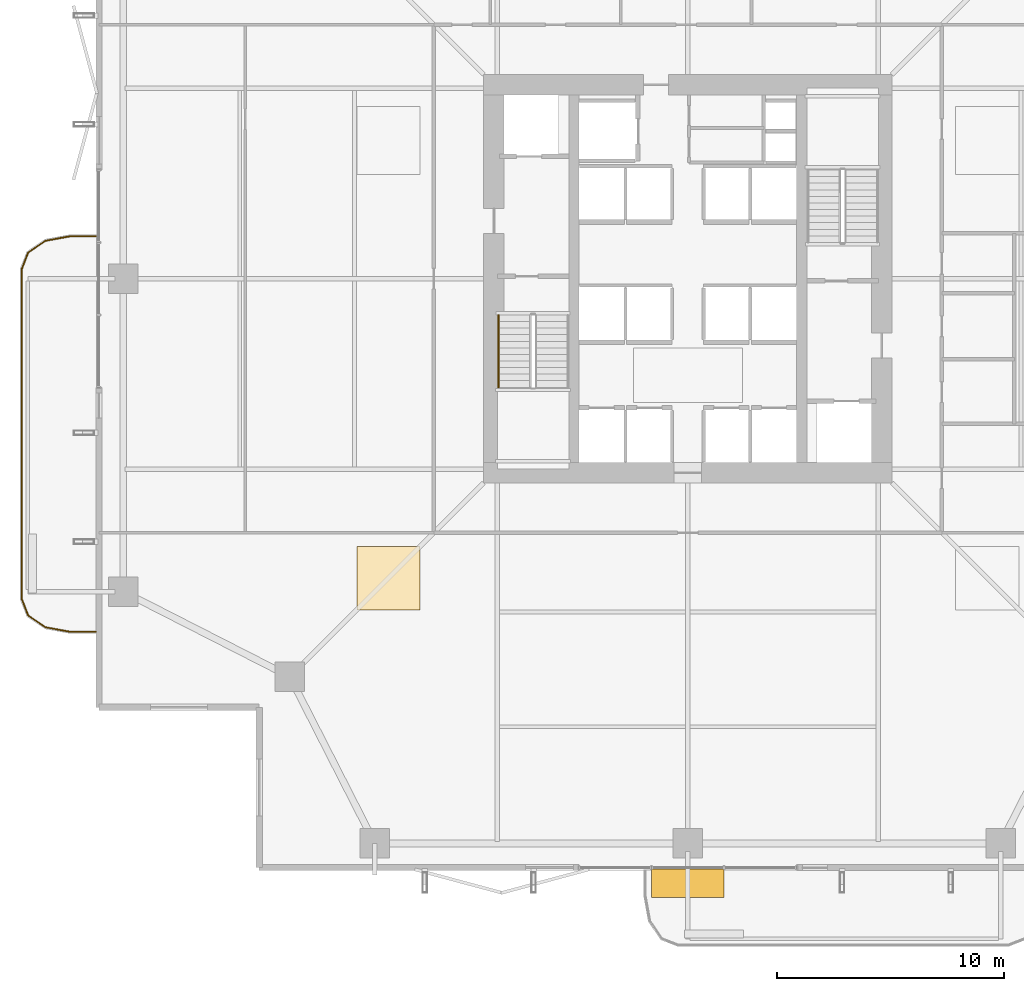
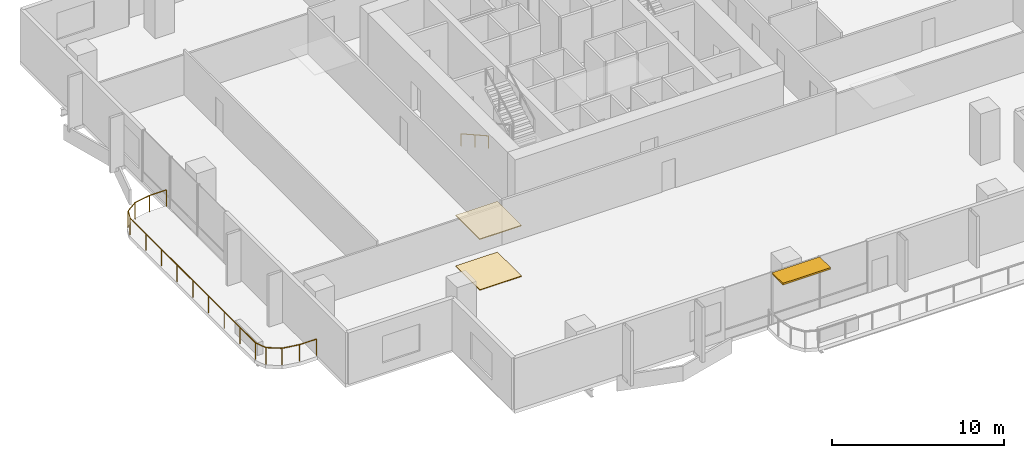
# One storey, part 21 of 24: 2 coverings, 2 railings, 1 shading device.
"""IFC4 building model written with IfcOpenShell, lengths in metres."""

from ifc_helpers import new_model, si_unit, direction, frame, origin, origin_2d, place, context, subcontext, project, spatial, polyline, rectangle, outline, extrude, material, layer, layer_set, type_object, element, save


model = new_model("IFC4")

# Units and contexts
model_context = context("Model", 3, precision=1e-05, world=origin(), true_north=direction((0.0, 1.0)))
body_context = subcontext(model_context, "Body", "Model", "MODEL_VIEW")
ifc_project = project(units=[si_unit("LENGTHUNIT", "METRE"), si_unit("AREAUNIT", "SQUARE_METRE"), si_unit("VOLUMEUNIT", "CUBIC_METRE"), si_unit("PLANEANGLEUNIT", "RADIAN"), si_unit("MASSUNIT", "GRAM", prefix="KILO")], contexts=[model_context])

# Site, building, storey
site_placement = place(None, origin())
site = spatial("IfcSite", under=ifc_project, at=site_placement, CompositionType="ELEMENT")
building_placement = place(site_placement, origin())
building = spatial("IfcBuilding", under=site, at=building_placement, Name="Belovzor Exchange Tower", CompositionType="ELEMENT")
storey_placement = place(building_placement, frame((0.0, 0.0, 129.0)))
storey = spatial("IfcBuildingStorey", under=building, at=storey_placement, Name="L31", CompositionType="ELEMENT", Elevation=129.0)

# Railings
ifc_material_1 = material(Name="Stainless Steel Grade 304", Category="steel")
railing_type_1 = type_object("IfcRailingType", Name="Brushed Stainless Steel Stair Handrail 900", PredefinedType="HANDRAIL", material=ifc_material_1)
railing_1_placement = place(storey_placement, frame((20.449951171875, 27.199951171875, 0.16259765625)))
element("IfcRailing", 1, at=railing_1_placement, inside=storey, type_object=railing_type_1, Name="L31 ST-1 stair handrail 1", PredefinedType="HANDRAIL", context=body_context, shape_type="SweptSolid", body=[
    extrude(rectangle(XDim=0.048095703125, YDim=0.048095703125, at=origin_2d()), frame((0.0, 0.0, 0.8759765625), z_axis=(0.0, -0.872390997893, 0.488808701636), x_axis=(1.0, 0.0, 0.0)), (0.0, 0.0, 1.0), 3.656494140625),
    extrude(rectangle(XDim=0.0419921875, YDim=0.0419921875, at=origin_2d()), origin(), (0.0, 0.0, 1.0), 0.851806640625),
    extrude(rectangle(XDim=0.0419921875, YDim=0.0419921875, at=origin_2d()), frame((0.0, -1.594970703125, 0.8935546875)), (0.0, 0.0, 1.0), 0.851806640625),
    extrude(rectangle(XDim=0.0419921875, YDim=0.0419921875, at=origin_2d()), frame((0.0, -3.18994140625, 1.787353515625)), (0.0, 0.0, 1.0), 0.851806640625),
])
ifc_material_2 = material(Name="Stainless Steel and Laminated Safety Glass", Category="steel")
railing_type_2 = type_object("IfcRailingType", Name="Laminated Glass & Stainless Steel Balcony Balustrade 1200", PredefinedType="BALUSTRADE", material=ifc_material_2)
railing_2_placement = place(storey_placement, frame((2.68994140625, 30.669921875, 0.0)))
element("IfcRailing", 2, at=railing_2_placement, inside=storey, type_object=railing_type_2, Name="GR-1 Balcony Balustrade L31 West", PredefinedType="BALUSTRADE", context=body_context, shape_type="SweptSolid", body=[
    extrude(rectangle(XDim=0.048095703125, YDim=0.048095703125, at=origin_2d()), frame((0.0, 0.0, 1.17578125), z_axis=(-1.0, 0.0, 0.0), x_axis=(0.0, -1.0, 0.0)), (0.0, 0.0, 1.0), 1.133056640625),
    extrude(rectangle(XDim=0.048095703125, YDim=0.048095703125, at=origin_2d()), frame((-1.133056640625, 0.0, 1.17578125), z_axis=(-0.983644145941, -0.180122719713, 0.0), x_axis=(0.180122719713, -0.983644145941, 0.0)), (0.0, 0.0, 1.0), 1.09375),
    extrude(rectangle(XDim=0.048095703125, YDim=0.048095703125, at=origin_2d()), frame((-2.208984375, -0.197021484375, 1.17578125), z_axis=(-0.826614792125, -0.562768145367, 0.0), x_axis=(0.562768145367, -0.826614792125, 0.0)), (0.0, 0.0, 1.0), 0.9326171875),
    extrude(rectangle(XDim=0.048095703125, YDim=0.048095703125, at=origin_2d()), frame((-2.97998046875, -0.721923828125, 1.17578125), z_axis=(-0.365612923861, -0.930766990125, 0.0), x_axis=(0.930766990125, -0.365612923861, 0.0)), (0.0, 0.0, 1.0), 0.765869140625),
    extrude(rectangle(XDim=0.048095703125, YDim=0.048095703125, at=origin_2d()), frame((-3.260009765625, -1.434814453125, 1.17578125), z_axis=(0.0, -1.0, 0.0), x_axis=(1.0, 0.0, 0.0)), (0.0, 0.0, 1.0), 14.570068359375),
    extrude(rectangle(XDim=0.048095703125, YDim=0.048095703125, at=origin_2d()), frame((-3.260009765625, -16.0048828125, 1.17578125), z_axis=(0.365504480807, -0.930809580156, 0.0), x_axis=(0.930809580156, 0.365504480807, 0.0)), (0.0, 0.0, 1.0), 0.76611328125),
    extrude(rectangle(XDim=0.048095703125, YDim=0.048095703125, at=origin_2d()), frame((-2.97998046875, -16.718017578125, 1.17578125), z_axis=(0.826614792125, -0.562768145367, 0.0), x_axis=(0.562768145367, 0.826614792125, 0.0)), (0.0, 0.0, 1.0), 0.9326171875),
    extrude(rectangle(XDim=0.048095703125, YDim=0.048095703125, at=origin_2d()), frame((-2.208984375, -17.242919921875, 1.17578125), z_axis=(0.983644145941, -0.180122719713, 0.0), x_axis=(0.180122719713, 0.983644145941, 0.0)), (0.0, 0.0, 1.0), 1.09375),
    extrude(rectangle(XDim=0.048095703125, YDim=0.048095703125, at=origin_2d()), frame((-1.133056640625, -17.43994140625, 1.17578125), z_axis=(1.0, 0.0, 0.0), x_axis=(0.0, 1.0, 0.0)), (0.0, 0.0, 1.0), 1.133056640625),
    extrude(rectangle(XDim=0.0419921875, YDim=0.0419921875, at=origin_2d()), origin(), (0.0, 0.0, 1.0), 1.15185546875),
    extrude(rectangle(XDim=0.0419921875, YDim=0.0419921875, at=origin_2d()), frame((-1.133056640625, 0.0, 0.0)), (0.0, 0.0, 1.0), 1.15185546875),
    extrude(rectangle(XDim=0.0419921875, YDim=0.0419921875, at=origin_2d()), frame((-2.208984375, -0.197021484375, 0.0)), (0.0, 0.0, 1.0), 1.15185546875),
    extrude(rectangle(XDim=0.0419921875, YDim=0.0419921875, at=origin_2d()), frame((-2.97998046875, -0.721923828125, 0.0)), (0.0, 0.0, 1.0), 1.15185546875),
    extrude(rectangle(XDim=0.0419921875, YDim=0.0419921875, at=origin_2d()), frame((-3.260009765625, -1.434814453125, 0.0)), (0.0, 0.0, 1.0), 1.15185546875),
    extrude(rectangle(XDim=0.0419921875, YDim=0.0419921875, at=origin_2d()), frame((-3.260009765625, -3.256103515625, 0.0)), (0.0, 0.0, 1.0), 1.15185546875),
    extrude(rectangle(XDim=0.0419921875, YDim=0.0419921875, at=origin_2d()), frame((-3.260009765625, -5.077392578125, 0.0)), (0.0, 0.0, 1.0), 1.15185546875),
    extrude(rectangle(XDim=0.0419921875, YDim=0.0419921875, at=origin_2d()), frame((-3.260009765625, -6.898681640625, 0.0)), (0.0, 0.0, 1.0), 1.15185546875),
    extrude(rectangle(XDim=0.0419921875, YDim=0.0419921875, at=origin_2d()), frame((-3.260009765625, -8.7197265625, 0.0)), (0.0, 0.0, 1.0), 1.15185546875),
    extrude(rectangle(XDim=0.0419921875, YDim=0.0419921875, at=origin_2d()), frame((-3.260009765625, -10.541015625, 0.0)), (0.0, 0.0, 1.0), 1.15185546875),
    extrude(rectangle(XDim=0.0419921875, YDim=0.0419921875, at=origin_2d()), frame((-3.260009765625, -12.3623046875, 0.0)), (0.0, 0.0, 1.0), 1.15185546875),
    extrude(rectangle(XDim=0.0419921875, YDim=0.0419921875, at=origin_2d()), frame((-3.260009765625, -14.18359375, 0.0)), (0.0, 0.0, 1.0), 1.15185546875),
    extrude(rectangle(XDim=0.0419921875, YDim=0.0419921875, at=origin_2d()), frame((-3.260009765625, -16.0048828125, 0.0)), (0.0, 0.0, 1.0), 1.15185546875),
    extrude(rectangle(XDim=0.0419921875, YDim=0.0419921875, at=origin_2d()), frame((-2.97998046875, -16.718017578125, 0.0)), (0.0, 0.0, 1.0), 1.15185546875),
    extrude(rectangle(XDim=0.0419921875, YDim=0.0419921875, at=origin_2d()), frame((-2.208984375, -17.242919921875, 0.0)), (0.0, 0.0, 1.0), 1.15185546875),
    extrude(rectangle(XDim=0.0419921875, YDim=0.0419921875, at=origin_2d()), frame((-1.133056640625, -17.43994140625, 0.0)), (0.0, 0.0, 1.0), 1.15185546875),
    extrude(rectangle(XDim=0.0419921875, YDim=0.0419921875, at=origin_2d()), frame((0.0, -17.43994140625, 0.0)), (0.0, 0.0, 1.0), 1.15185546875),
])

# Coverings
ifc_material_3 = material(Name="Perforated Powder-Coated Aluminium", Category="aluminium")
ifc_layer_1 = layer(ifc_material_3, 0.06005859375)
ifc_layer_set_1 = layer_set([ifc_layer_1], Name="Perforated Powder-Coated Aluminium")
covering_type_1 = type_object("IfcCoveringType", Name="Perforated Acoustic Metal Tile Suspended Ceiling 60", PredefinedType="CEILING", material=ifc_layer_set_1)
covering_1_placement = place(storey_placement, frame((0.0, 0.0, 3.590087890625)))
element("IfcCovering", 3, at=covering_1_placement, inside=storey, type_object=covering_type_1, Name="CLG-AC60 Suspended Ceiling CLG-L31-Z0", PredefinedType="CEILING", context=body_context, shape_type="SweptSolid", body=[
    extrude(outline(polyline([(14.199951171875, 14.199951171875), (17.0, 14.199951171875), (17.0, 17.0), (14.199951171875, 17.0), (14.199951171875, 14.199951171875)])), origin(), (0.0, 0.0, 1.0), 0.059814453125),
])
ifc_material_4 = material(Name="Polished Natural Granite Tile", Category="masonry")
ifc_layer_2 = layer(ifc_material_4, 0.050048828125)
ifc_layer_set_2 = layer_set([ifc_layer_2], Name="Polished Natural Granite Tile")
covering_type_2 = type_object("IfcCoveringType", Name="Polished Karelian Granite & Raised Access Floor Finish 50", PredefinedType="FLOORING", material=ifc_layer_set_2)
covering_2_placement = place(storey_placement, origin())
element("IfcCovering", 4, at=covering_2_placement, inside=storey, type_object=covering_type_2, Name="FLR-GR50 Floor Finish FLR-L31-Z0", PredefinedType="FLOORING", context=body_context, shape_type="SweptSolid", body=[
    extrude(outline(polyline([(14.199951171875, 14.199951171875), (17.0, 14.199951171875), (17.0, 17.0), (14.199951171875, 17.0), (14.199951171875, 14.199951171875)])), origin(), (0.0, 0.0, 1.0), 0.050048828125),
])

# Shading device
ifc_material_5 = material(Name="Extruded Architectural Terracotta", Category="masonry")
ifc_layer_3 = layer(ifc_material_5, 0.1201171875)
ifc_layer_set_3 = layer_set([ifc_layer_3], Name="Extruded Architectural Terracotta")
shading_device_type = type_object("IfcShadingDeviceType", Name="Streamline Terracotta Horizontal Sunshade Hood 1250", PredefinedType="AWNING", material=ifc_layer_set_3)
shading_device_placement = place(storey_placement, frame((28.800048828125, 2.135009765625, 3.530029296875), z_axis=(0.0, 0.0, 1.0), x_axis=(1.0, 0.0, 0.0)))
element("IfcShadingDevice", 5, at=shading_device_placement, inside=storey, type_object=shading_device_type, Name="SHD-TC125 Terracotta Sunshade L31 S", PredefinedType="AWNING", context=body_context, shape_type="SweptSolid", body=[
    extrude(rectangle(XDim=3.199951171875, YDim=1.25, at=origin_2d()), origin(), (0.0, 0.0, 1.0), 0.1201171875),
])

save(model, "model.ifc")
